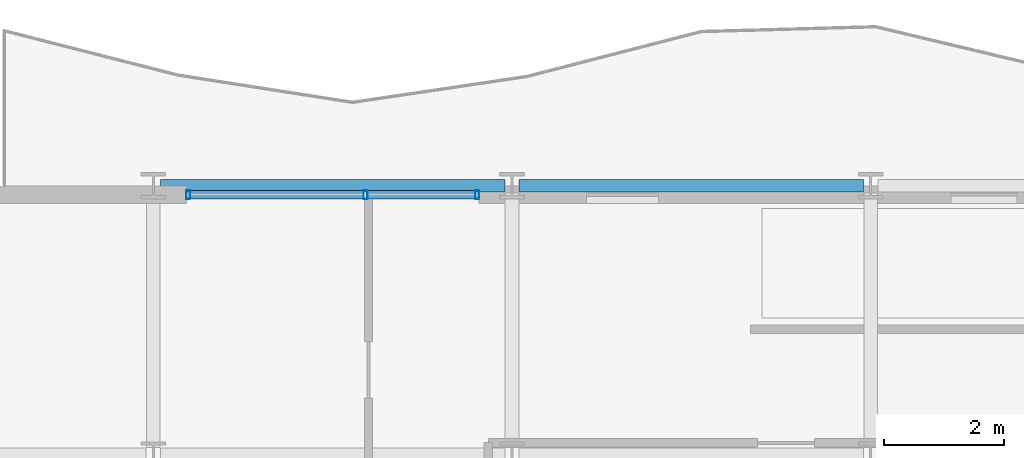
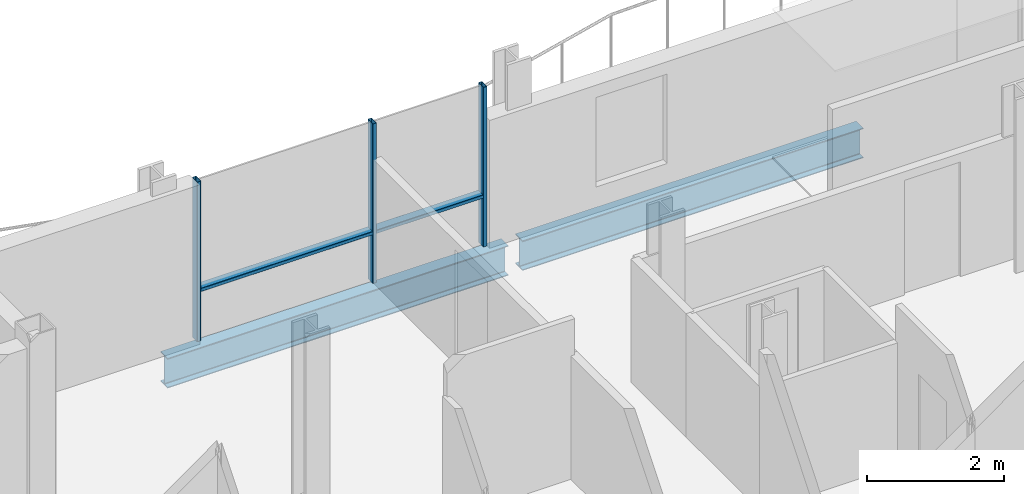
# One storey, part 21 of 40: 5 members, 2 beams, 1 element without a shape of its own.
"""IFC4 building model written with IfcOpenShell, lengths in metres."""

from ifc_helpers import new_model, si_unit, direction, frame, origin, origin_2d, place, context, subcontext, project, spatial, hollow_rectangle, i_section, extrude, material, layer, layer_set, material_profile, profile_set, type_object, element, aggregate, save


model = new_model("IFC4")

# Units and contexts
model_context = context("Model", 3, precision=1e-05, world=origin(), true_north=direction((0.0, 1.0)))
body_context = subcontext(model_context, "Body", "Model", "MODEL_VIEW")
ifc_project = project(units=[si_unit("LENGTHUNIT", "METRE"), si_unit("AREAUNIT", "SQUARE_METRE"), si_unit("VOLUMEUNIT", "CUBIC_METRE"), si_unit("PLANEANGLEUNIT", "RADIAN"), si_unit("MASSUNIT", "GRAM", prefix="KILO")], contexts=[model_context])

# Site, building, storey
site_placement = place(None, origin())
site = spatial("IfcSite", under=ifc_project, at=site_placement, CompositionType="ELEMENT")
building_placement = place(site_placement, origin())
building = spatial("IfcBuilding", under=site, at=building_placement, Name="Brevholm Reach", CompositionType="ELEMENT")
storey_placement = place(building_placement, frame((0.0, 0.0, 131.39990234375)))
storey = spatial("IfcBuildingStorey", under=building, at=storey_placement, Name="L39", CompositionType="ELEMENT", Elevation=131.39990234375)

# Beams
ifc_material_1 = material(Name="Structural Steel S355J2", Category="steel")
ifc_material_profile_1 = material_profile(ifc_material_1, i_section(OverallWidth=0.209228515625, OverallDepth=0.533203125, WebThickness=0.010009765625, FlangeThickness=0.015625, FilletRadius=0.0126953125, at=origin_2d()), Name="UKB 533x210x92")
ifc_profile_set_1 = profile_set([ifc_material_profile_1], Name="Structural Steel S355J2")
beam_type = type_object("IfcBeamType", Name="BM-SP533", PredefinedType="SPANDREL", material=ifc_profile_set_1)
for number, where, z_axis, x_axis, name in (
    (1, (6.1201171875, 31.0, -0.486572265625), (1.0, 0.0, 0.0), (0.0, 1.0, 0.0), "L39 SP-02 Framing Beam"),
    (2, (12.1201171875, 31.0, -0.486572265625), (1.0, 0.0, 0.0), (0.0, 1.0, 0.0), "L39 SP-02 Framing Beam"),
):
    element("IfcBeam", number, at=place(storey_placement, frame(where, z_axis=z_axis, x_axis=x_axis)), inside=storey, type_object=beam_type, Name=name, PredefinedType="SPANDREL", context=body_context, shape_type="SweptSolid", body=[
        extrude(i_section(OverallWidth=0.209228515625, OverallDepth=0.533203125, WebThickness=0.010009765625, FlangeThickness=0.015625, FilletRadius=0.0126953125, at=origin_2d()), origin(), (0.0, 0.0, 1.0), 5.759765625),
    ])

# Curtain wall, members
ifc_material_2 = material(Name="Dark Anodised Aluminium 6063-T6 and Solar-Control Glass", Category="aluminium")
ifc_layer = layer(ifc_material_2, 0.14990234375)
ifc_layer_set = layer_set([ifc_layer], Name="Dark Anodised Aluminium 6063-T6 and Solar-Control Glass")
curtain_wall_type = type_object("IfcCurtainWallType", Name="CW-01", PredefinedType="NOTDEFINED", material=ifc_layer_set)
curtain_wall_placement = place(storey_placement, origin())
curtain_wall = element("IfcCurtainWall", 3, at=curtain_wall_placement, inside=storey, type_object=curtain_wall_type, Name="L39 Curtain Wall CW-01", PredefinedType="NOTDEFINED")
ifc_material_3 = material(Name="Dark Anodised Aluminium 6063-T6", Category="aluminium")
ifc_material_profile_2 = material_profile(ifc_material_3, hollow_rectangle(XDim=0.06494140625, YDim=0.14990234375, WallThickness=0.0048828125, InnerFilletRadius=0.0048828125, OuterFilletRadius=0.010009765625, at=origin_2d()), Name="RHS 150x65x5")
ifc_profile_set_2 = profile_set([ifc_material_profile_2], Name="Dark Anodised Aluminium 6063-T6")
member_type_1 = type_object("IfcMemberType", Name="CWM-150", PredefinedType="MULLION", material=ifc_profile_set_2)
member_1_placement = place(storey_placement, frame((6.58251953125, 30.85009765625, 0.0), z_axis=(0.0, 0.0, 1.0), x_axis=(1.0, 0.0, 0.0)))
member_1 = element("IfcMember", 4, at=member_1_placement, type_object=member_type_1, Name="CM-150 Mullion 1", PredefinedType="MULLION", context=body_context, shape_type="SweptSolid", body=[
    extrude(hollow_rectangle(XDim=0.06494140625, YDim=0.14990234375, WallThickness=0.0048828125, InnerFilletRadius=0.0048828125, OuterFilletRadius=0.010009765625, at=origin_2d()), origin(), (0.0, 0.0, 1.0), 2.85009765625),
])
member_2_placement = place(storey_placement, frame((9.550048828125, 30.85009765625, 0.0), z_axis=(0.0, 0.0, 1.0), x_axis=(1.0, 0.0, 0.0)))
member_2 = element("IfcMember", 5, at=member_2_placement, type_object=member_type_1, Name="CM-150 Mullion 2", PredefinedType="MULLION", context=body_context, shape_type="SweptSolid", body=[
    extrude(hollow_rectangle(XDim=0.06494140625, YDim=0.14990234375, WallThickness=0.0048828125, InnerFilletRadius=0.0048828125, OuterFilletRadius=0.010009765625, at=origin_2d()), origin(), (0.0, 0.0, 1.0), 2.85009765625),
])
member_3_placement = place(storey_placement, frame((11.41748046875, 30.85009765625, 0.0), z_axis=(0.0, 0.0, 1.0), x_axis=(1.0, 0.0, 0.0)))
member_3 = element("IfcMember", 6, at=member_3_placement, type_object=member_type_1, Name="CM-150 Mullion 3", PredefinedType="MULLION", context=body_context, shape_type="SweptSolid", body=[
    extrude(hollow_rectangle(XDim=0.06494140625, YDim=0.14990234375, WallThickness=0.0048828125, InnerFilletRadius=0.0048828125, OuterFilletRadius=0.010009765625, at=origin_2d()), origin(), (0.0, 0.0, 1.0), 2.85009765625),
])
ifc_material_4 = material(Name="Dark Anodised Aluminium 6063-T6", Category="aluminium")
ifc_material_profile_3 = material_profile(ifc_material_4, hollow_rectangle(XDim=0.06494140625, YDim=0.14990234375, WallThickness=0.0048828125, InnerFilletRadius=0.0048828125, OuterFilletRadius=0.010009765625, at=origin_2d()), Name="RHS 150x65x5")
ifc_profile_set_3 = profile_set([ifc_material_profile_3], Name="Dark Anodised Aluminium 6063-T6")
member_type_2 = type_object("IfcMemberType", Name="CWT-150", PredefinedType="NOTDEFINED", material=ifc_profile_set_3)
member_4_placement = place(storey_placement, frame((6.614990234375, 30.85009765625, 0.900146484375), z_axis=(1.0, 0.0, 0.0), x_axis=(0.0, 0.0, 1.0)))
member_4 = element("IfcMember", 7, at=member_4_placement, type_object=member_type_2, Name="CT-150 Transom 1.1", ObjectType="TRANSOM", PredefinedType="USERDEFINED", context=body_context, shape_type="SweptSolid", body=[
    extrude(hollow_rectangle(XDim=0.06494140625, YDim=0.14990234375, WallThickness=0.0048828125, InnerFilletRadius=0.0048828125, OuterFilletRadius=0.010009765625, at=origin_2d()), origin(), (0.0, 0.0, 1.0), 2.902587890625),
])
member_5_placement = place(storey_placement, frame((9.58251953125, 30.85009765625, 0.900146484375), z_axis=(1.0, 0.0, 0.0), x_axis=(0.0, 0.0, 1.0)))
member_5 = element("IfcMember", 8, at=member_5_placement, type_object=member_type_2, Name="CT-150 Transom 2.1", ObjectType="TRANSOM", PredefinedType="USERDEFINED", context=body_context, shape_type="SweptSolid", body=[
    extrude(hollow_rectangle(XDim=0.06494140625, YDim=0.14990234375, WallThickness=0.0048828125, InnerFilletRadius=0.0048828125, OuterFilletRadius=0.010009765625, at=origin_2d()), origin(), (0.0, 0.0, 1.0), 1.802490234375),
])
aggregate(curtain_wall, [member_1, member_2, member_3, member_4, member_5])

save(model, "model.ifc")
